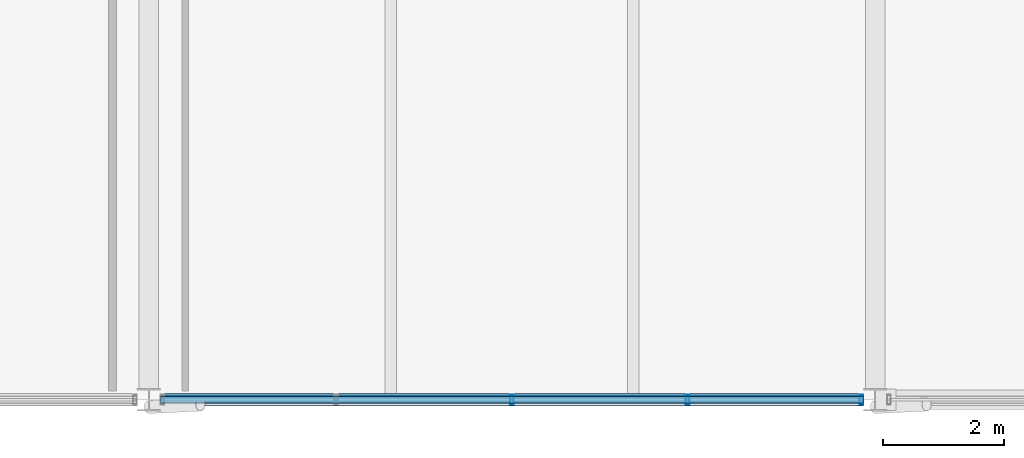
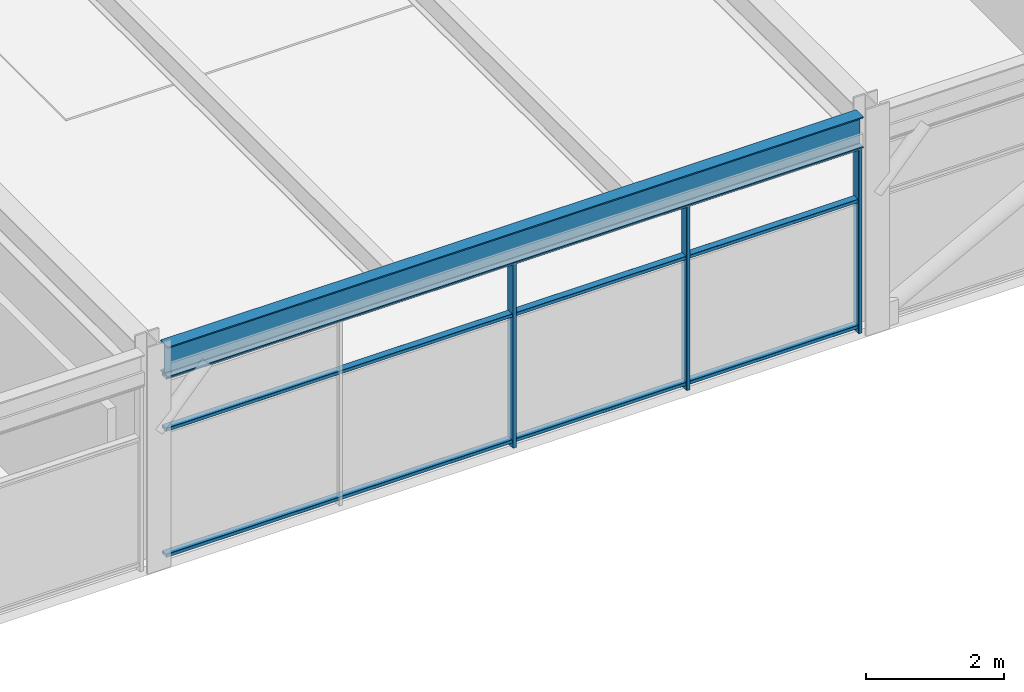
# One storey, part 31 of 51: 6 members, 1 beam, 1 element without a shape of its own.
"""IFC4 building model written with IfcOpenShell, lengths in metres."""

from ifc_helpers import new_model, si_unit, direction, frame, origin, origin_2d, place, context, subcontext, project, spatial, hollow_rectangle, i_section, extrude, material, material_profile, profile_set, type_object, element, aggregate, save


model = new_model("IFC4")

# Units and contexts
model_context = context("Model", 3, precision=1e-05, world=origin(), true_north=direction((0.0, 1.0)))
body_context = subcontext(model_context, "Body", "Model", "MODEL_VIEW")
ifc_project = project(units=[si_unit("LENGTHUNIT", "METRE"), si_unit("AREAUNIT", "SQUARE_METRE"), si_unit("VOLUMEUNIT", "CUBIC_METRE"), si_unit("PLANEANGLEUNIT", "RADIAN"), si_unit("MASSUNIT", "GRAM", prefix="KILO")], contexts=[model_context])

# Site, building, storey
site_placement = place(None, origin())
site = spatial("IfcSite", under=ifc_project, at=site_placement, CompositionType="ELEMENT")
building_placement = place(site_placement, origin())
building = spatial("IfcBuilding", under=site, at=building_placement, Name="Girod Span Mobility Hub", CompositionType="ELEMENT")
storey_placement = place(building_placement, frame((0.0, 0.0, 41.60009765625)))
storey = spatial("IfcBuildingStorey", under=building, at=storey_placement, Name="L10", CompositionType="ELEMENT", Elevation=41.60009765625)

# Beam
ifc_material_1 = material(Name="Steel A992 Grade 50", Category="steel")
ifc_material_profile_1 = material_profile(ifc_material_1, i_section(OverallWidth=0.2119140625, OverallDepth=0.5439453125, WebThickness=0.01318359375, FlangeThickness=0.021240234375, FilletRadius=0.014892578125, at=origin_2d()), Name="W21X83")
ifc_profile_set_1 = profile_set([ifc_material_profile_1], Name="Steel A992 Grade 50")
beam_type = type_object("IfcBeamType", Name="BM-STL-W21X83", PredefinedType="SPANDREL", material=ifc_profile_set_1)
beam_placement = place(storey_placement, frame((108.194091796875, 27.0, 3.552978515625), z_axis=(1.0, 0.0, 0.0), x_axis=(0.0, 1.0, 0.0)))
element("IfcBeam", 1, at=beam_placement, inside=storey, type_object=beam_type, Name="Girder 10-11/C L10", PredefinedType="SPANDREL", context=body_context, shape_type="SweptSolid", body=[
    extrude(i_section(OverallWidth=0.2119140625, OverallDepth=0.5439453125, WebThickness=0.01318359375, FlangeThickness=0.021240234375, FilletRadius=0.014892578125, at=origin_2d()), origin(), (0.0, 0.0, 1.0), 11.61181640625),
])

# Curtain wall, members
ifc_material_2 = material(Name="Thermally Broken Anodised Aluminium", Category="aluminium")
curtain_wall_type = type_object("IfcCurtainWallType", Name="CW-1161X328", PredefinedType="USERDEFINED", material=ifc_material_2)
curtain_wall_placement = place(storey_placement, origin())
curtain_wall = element("IfcCurtainWall", 2, at=curtain_wall_placement, inside=storey, type_object=curtain_wall_type, Name="Unitised Curtain Wall CW-L10-S10 L10", ObjectType="UNITISED CURTAIN WALL", PredefinedType="USERDEFINED")
ifc_material_3 = material(Name="Thermally Broken Anodised Aluminium", Category="aluminium")
ifc_material_profile_2 = material_profile(ifc_material_3, hollow_rectangle(XDim=0.159912109375, YDim=0.06005859375, WallThickness=0.00341796875, InnerFilletRadius=0.00341796875, OuterFilletRadius=0.007080078125, at=origin_2d()), Name="CW-ML-60X160")
ifc_profile_set_2 = profile_set([ifc_material_profile_2], Name="Thermally Broken Anodised Aluminium")
member_type_1 = type_object("IfcMemberType", Name="CWM-ML-3", PredefinedType="MULLION", material=ifc_profile_set_2)
member_1_placement = place(storey_placement, frame((114.0, 27.0, 0.0), z_axis=(0.0, 0.0, 1.0), x_axis=(0.0, 1.0, 0.0)))
member_1 = element("IfcMember", 3, at=member_1_placement, type_object=member_type_1, Name="Curtain Wall Mullion CW-L10-S10-M2", PredefinedType="MULLION", context=body_context, shape_type="SweptSolid", body=[
    extrude(hollow_rectangle(XDim=0.159912109375, YDim=0.06005859375, WallThickness=0.00341796875, InnerFilletRadius=0.00341796875, OuterFilletRadius=0.007080078125, at=origin_2d()), origin(), (0.0, 0.0, 1.0), 3.281005859375),
])
member_2_placement = place(storey_placement, frame((116.902587890625, 27.0, 0.0), z_axis=(0.0, 0.0, 1.0), x_axis=(0.0, 1.0, 0.0)))
member_2 = element("IfcMember", 4, at=member_2_placement, type_object=member_type_1, Name="Curtain Wall Mullion CW-L10-S10-M3", PredefinedType="MULLION", context=body_context, shape_type="SweptSolid", body=[
    extrude(hollow_rectangle(XDim=0.159912109375, YDim=0.06005859375, WallThickness=0.00341796875, InnerFilletRadius=0.00341796875, OuterFilletRadius=0.007080078125, at=origin_2d()), origin(), (0.0, 0.0, 1.0), 3.281005859375),
])
member_3_placement = place(storey_placement, frame((119.77294921875, 27.0, 0.0), z_axis=(0.0, 0.0, 1.0), x_axis=(0.0, 1.0, 0.0)))
member_3 = element("IfcMember", 5, at=member_3_placement, type_object=member_type_1, Name="Curtain Wall Mullion CW-L10-S10-M4", PredefinedType="MULLION", context=body_context, shape_type="SweptSolid", body=[
    extrude(hollow_rectangle(XDim=0.159912109375, YDim=0.06005859375, WallThickness=0.00341796875, InnerFilletRadius=0.00341796875, OuterFilletRadius=0.007080078125, at=origin_2d()), origin(), (0.0, 0.0, 1.0), 3.281005859375),
])
ifc_material_4 = material(Name="Thermally Broken Anodised Aluminium", Category="aluminium")
ifc_material_profile_3 = material_profile(ifc_material_4, hollow_rectangle(XDim=0.1201171875, YDim=0.06005859375, WallThickness=0.00341796875, InnerFilletRadius=0.00341796875, OuterFilletRadius=0.007080078125, at=origin_2d()), Name="CW-TR-60X120")
ifc_profile_set_3 = profile_set([ifc_material_profile_3], Name="Thermally Broken Anodised Aluminium")
member_type_2 = type_object("IfcMemberType", Name="CWM-TR-3", PredefinedType="USERDEFINED", material=ifc_profile_set_3)
member_4_placement = place(storey_placement, frame((108.195068359375, 27.0, 0.10986328125), z_axis=(1.0, 0.0, 0.0), x_axis=(0.0, 1.0, 0.0)))
member_4 = element("IfcMember", 6, at=member_4_placement, type_object=member_type_2, Name="Curtain Wall Transom CW-L10-S10-T1", ObjectType="TRANSOM", PredefinedType="USERDEFINED", context=body_context, shape_type="SweptSolid", body=[
    extrude(hollow_rectangle(XDim=0.1201171875, YDim=0.06005859375, WallThickness=0.00341796875, InnerFilletRadius=0.00341796875, OuterFilletRadius=0.007080078125, at=origin_2d()), origin(), (0.0, 0.0, 1.0), 11.60986328125),
])
member_5_placement = place(storey_placement, frame((108.195068359375, 27.0, 2.332275390625), z_axis=(1.0, 0.0, 0.0), x_axis=(0.0, 1.0, 0.0)))
member_5 = element("IfcMember", 7, at=member_5_placement, type_object=member_type_2, Name="Curtain Wall Transom CW-L10-S10-T2", ObjectType="TRANSOM", PredefinedType="USERDEFINED", context=body_context, shape_type="SweptSolid", body=[
    extrude(hollow_rectangle(XDim=0.1201171875, YDim=0.06005859375, WallThickness=0.00341796875, InnerFilletRadius=0.00341796875, OuterFilletRadius=0.007080078125, at=origin_2d()), origin(), (0.0, 0.0, 1.0), 11.60986328125),
])
member_6_placement = place(storey_placement, frame((108.195068359375, 27.0, 3.2509765625), z_axis=(1.0, 0.0, 0.0), x_axis=(0.0, 1.0, 0.0)))
member_6 = element("IfcMember", 8, at=member_6_placement, type_object=member_type_2, Name="Curtain Wall Transom CW-L10-S10-T3", ObjectType="TRANSOM", PredefinedType="USERDEFINED", context=body_context, shape_type="SweptSolid", body=[
    extrude(hollow_rectangle(XDim=0.1201171875, YDim=0.06005859375, WallThickness=0.00341796875, InnerFilletRadius=0.00341796875, OuterFilletRadius=0.007080078125, at=origin_2d()), origin(), (0.0, 0.0, 1.0), 11.60986328125),
])
aggregate(curtain_wall, [member_1, member_2, member_3, member_4, member_5, member_6])

save(model, "model.ifc")
